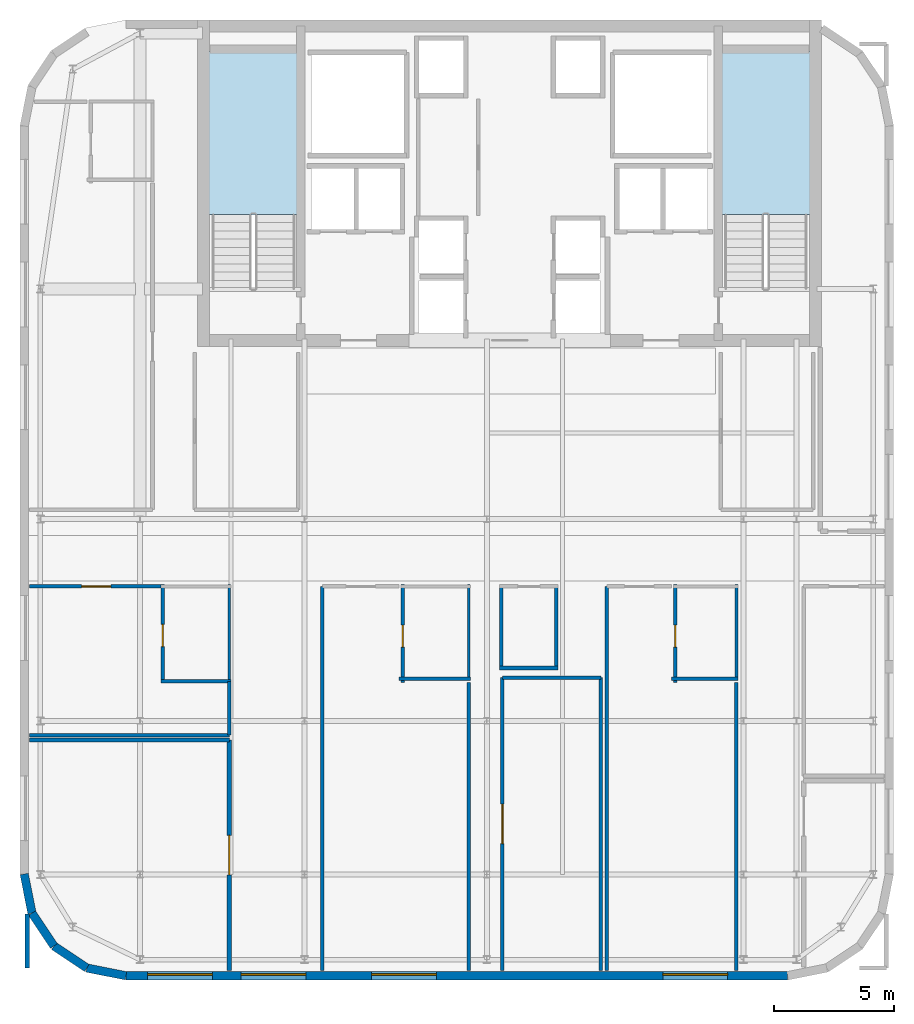
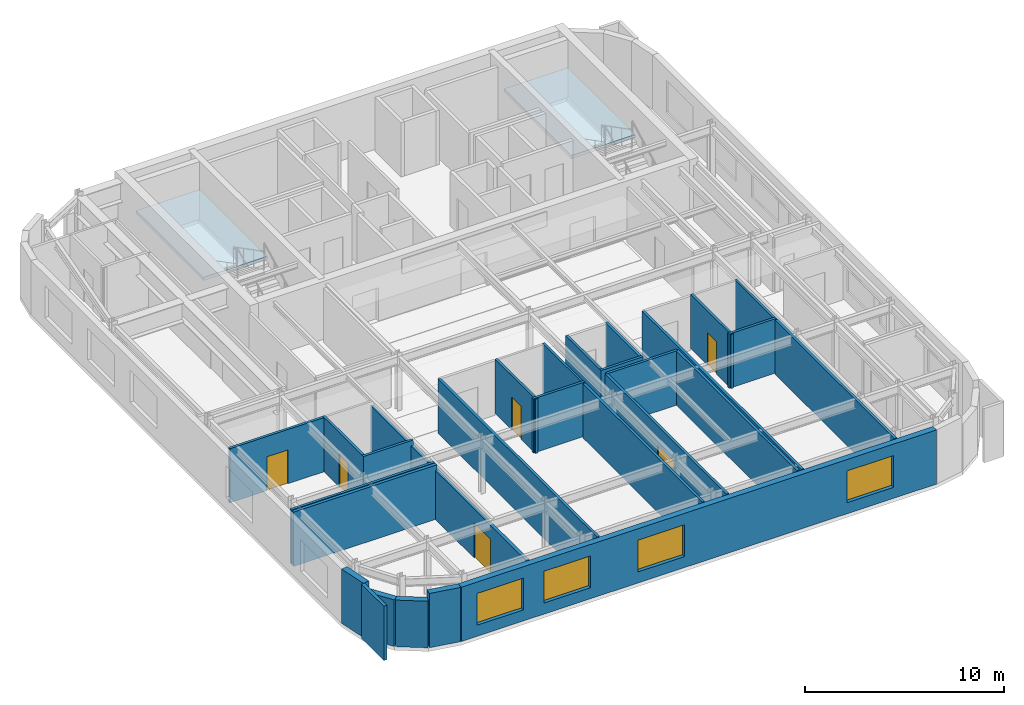
# One storey, part 6 of 12: 30 walls, 6 doors, 4 windows, 2 slabs, 10 openings, 2 elements without a shape of their own.
"""IFC4 building model written with IfcOpenShell, lengths in metres."""

from ifc_helpers import new_model, si_unit, direction, frame, frame_2d, origin, place, context, subcontext, project, spatial, polyline, rectangle, outline, extrude, source, transform, mapped, material, layer, layer_set, type_object, type_shapes, element, fill, aggregate, save


model = new_model("IFC4")

# Units and contexts
model_context = context("Model", 3, precision=1e-05, world=origin(), true_north=direction((0.0, 1.0)))
body_context = subcontext(model_context, "Body", "Model", "MODEL_VIEW")
ifc_project = project(units=[si_unit("LENGTHUNIT", "METRE"), si_unit("AREAUNIT", "SQUARE_METRE"), si_unit("VOLUMEUNIT", "CUBIC_METRE"), si_unit("PLANEANGLEUNIT", "RADIAN"), si_unit("MASSUNIT", "GRAM", prefix="KILO")], contexts=[model_context])

# Site, building, storey
site_placement = place(None, origin())
site = spatial("IfcSite", under=ifc_project, at=site_placement, CompositionType="ELEMENT")
building_placement = place(site_placement, origin())
building = spatial("IfcBuilding", under=site, at=building_placement, Name="Tolvann Quenvar Hotel", CompositionType="ELEMENT")
storey_placement = place(building_placement, frame((0.0, 0.0, 275.050048828125)))
storey = spatial("IfcBuildingStorey", under=building, at=storey_placement, Name="L73", CompositionType="ELEMENT", Elevation=275.050048828125)

# Stair, slab
ifc_material_1 = material(Name="Concrete N40 (40 MPa)", Category="concrete")
stair_type = type_object("IfcStairType", Name="STAIR", PredefinedType="HALF_TURN_STAIR", material=ifc_material_1)
stair_1_placement = place(storey_placement, origin())
stair_1 = element("IfcStair", 1, at=stair_1_placement, inside=storey, type_object=stair_type, Name="L73 ST-C1", PredefinedType="HALF_TURN_STAIR")
ifc_layer_1 = layer(ifc_material_1, 0.199951171875)
ifc_layer_set_1 = layer_set([ifc_layer_1], Name="Concrete N40 (40 MPa)")
slab_type = type_object("IfcSlabType", Name="SLAB_LANDING", PredefinedType="LANDING", material=ifc_layer_set_1)
slab_1_placement = place(storey_placement, frame((0.0, 0.0, 1.574951171875)))
slab_1 = element("IfcSlab", 2, at=slab_1_placement, type_object=slab_type, Name="ST-C1 landing 1", PredefinedType="LANDING", context=body_context, shape_type="SweptSolid", body=[
    extrude(outline(polyline([(14.179931640625, 37.10498046875), (14.179931640625, 43.8798828125), (10.469970703125, 43.8798828125), (10.469970703125, 37.10498046875), (14.179931640625, 37.10498046875)])), origin(), (0.0, 0.0, 1.0), 0.199951171875),
])
aggregate(stair_1, [slab_1])

stair_2_placement = place(storey_placement, origin())
stair_2 = element("IfcStair", 3, at=stair_2_placement, inside=storey, type_object=stair_type, Name="L73 ST-C2", PredefinedType="HALF_TURN_STAIR")
slab_2_placement = place(storey_placement, frame((0.0, 0.0, 1.574951171875)))
slab_2 = element("IfcSlab", 4, at=slab_2_placement, type_object=slab_type, Name="ST-C2 landing 1", PredefinedType="LANDING", context=body_context, shape_type="SweptSolid", body=[
    extrude(outline(polyline([(35.530029296875, 37.10498046875), (35.530029296875, 43.8798828125), (31.820068359375, 43.8798828125), (31.820068359375, 37.10498046875), (35.530029296875, 37.10498046875)])), origin(), (0.0, 0.0, 1.0), 0.199951171875),
])
aggregate(stair_2, [slab_2])

# Walls
ifc_material_2 = material(Name="Kiln-fired red and buff architectural clay brickwork and terracotta masonry", Category="masonry")
ifc_layer_2 = layer(ifc_material_2, 0.35009765625)
ifc_layer_set_2 = layer_set([ifc_layer_2], Name="Kiln-fired red and buff architectural clay brickwork and terracotta masonry")
wall_type_1 = type_object("IfcWallType", Name="WALL_EXT_BRICK_350", PredefinedType="SOLIDWALL", material=ifc_layer_set_2)
for number, where, z_axis, x_axis, name in (
    (5, (3.099609375, 7.984619140625, 0.0), (0.0, 0.0, 1.0), (0.555623290322, -0.831434158098, 0.0), "Exterior Chicago Brick Wall L73-E01"),
    (6, (4.014892578125, 6.614990234375, 0.0), (0.0, 0.0, 1.0), (0.831434158098, -0.555623290322, 0.0), "Exterior Chicago Brick Wall L73-E02"),
):
    element("IfcWall", number, at=place(storey_placement, frame(where, z_axis=z_axis, x_axis=x_axis)), inside=storey, type_object=wall_type_1, Name=name, PredefinedType="SOLIDWALL", context=body_context, shape_type="SweptSolid", body=[
        extrude(rectangle(XDim=1.647216796875, YDim=0.35009765625, at=frame_2d((0.82373046875, 0.0))), origin(), (0.0, 0.0, 1.0), 2.85986328125),
    ])
wall_1_placement = place(storey_placement, frame((5.384521484375, 5.69970703125, 0.0), z_axis=(0.0, 0.0, 1.0), x_axis=(0.980788844421, -0.195072403631, 0.0)))
element("IfcWall", 7, at=wall_1_placement, inside=storey, type_object=wall_type_1, Name="Exterior Chicago Brick Wall L73-E03", PredefinedType="SOLIDWALL", context=body_context, shape_type="SweptSolid", body=[
    extrude(rectangle(XDim=1.66455078125, YDim=0.35009765625, at=frame_2d((0.832275390625, 0.0))), origin(), (0.0, 0.0, 1.0), 3.329833984375),
])

# Wall, openings, windows
wall_2_placement = place(storey_placement, frame((7.01708984375, 5.375, 0.0), z_axis=(0.0, 0.0, 1.0), x_axis=(1.0, 0.0, 0.0)))
wall_2 = element("IfcWall", 8, at=wall_2_placement, inside=storey, type_object=wall_type_1, Name="Exterior Chicago Brick Wall L73-E04", PredefinedType="SOLIDWALL", context=body_context, shape_type="SweptSolid", body=[
    extrude(rectangle(XDim=27.565673828125, YDim=0.35009765625, at=frame_2d((13.78271484375, 0.0))), origin(), (0.0, 0.0, 1.0), 3.329833984375),
])
opening_1_placement = place(wall_2_placement, frame((0.89697265625, 0.0, 0.679931640625)))
opening_1 = element("IfcOpeningElement", 9, at=opening_1_placement, cuts=wall_2, Name="Opening W-04", PredefinedType="OPENING", context=body_context, shape_type="SweptSolid", body=[
    extrude(rectangle(XDim=2.699951171875, YDim=1.949951171875, at=frame_2d((1.35009765625, 0.97509765625))), frame((0.0, 0.18505859375, 0.0), z_axis=(0.0, -1.0, 0.0), x_axis=(1.0, 0.0, 0.0)), (0.0, 0.0, 1.0), 0.3701171875),
])
opening_2_placement = place(wall_2_placement, frame((4.791015625, 0.0, 0.679931640625)))
opening_2 = element("IfcOpeningElement", 10, at=opening_2_placement, cuts=wall_2, Name="Opening W-04", PredefinedType="OPENING", context=body_context, shape_type="SweptSolid", body=[
    extrude(rectangle(XDim=2.699951171875, YDim=1.949951171875, at=frame_2d((1.35009765625, 0.97509765625))), frame((0.0, 0.18505859375, 0.0), z_axis=(0.0, -1.0, 0.0), x_axis=(1.0, 0.0, 0.0)), (0.0, 0.0, 1.0), 0.3701171875),
])
opening_3_placement = place(wall_2_placement, frame((10.236083984375, 0.0, 0.679931640625)))
opening_3 = element("IfcOpeningElement", 11, at=opening_3_placement, cuts=wall_2, Name="Opening W-04", PredefinedType="OPENING", context=body_context, shape_type="SweptSolid", body=[
    extrude(rectangle(XDim=2.699951171875, YDim=1.949951171875, at=frame_2d((1.35009765625, 0.97509765625))), frame((0.0, 0.18505859375, 0.0), z_axis=(0.0, -1.0, 0.0), x_axis=(1.0, 0.0, 0.0)), (0.0, 0.0, 1.0), 0.3701171875),
])
opening_4_placement = place(wall_2_placement, frame((22.367919921875, 0.0, 0.679931640625)))
opening_4 = element("IfcOpeningElement", 12, at=opening_4_placement, cuts=wall_2, Name="Opening W-04", PredefinedType="OPENING", context=body_context, shape_type="SweptSolid", body=[
    extrude(rectangle(XDim=2.699951171875, YDim=1.949951171875, at=frame_2d((1.35009765625, 0.97509765625))), frame((0.0, 0.18505859375, 0.0), z_axis=(0.0, -1.0, 0.0), x_axis=(1.0, 0.0, 0.0)), (0.0, 0.0, 1.0), 0.3701171875),
])
ifc_material_3 = material(Name="Thermally broken bronze-anodised aluminium frame with double low-E glazing", Category="aluminium")
window_type = type_object("IfcWindowType", Name="WIN_STE_2700x2150", PartitioningType="TRIPLE_PANEL_HORIZONTAL", PredefinedType="WINDOW", material=ifc_material_3)
shared_shape_1 = source(origin(), body_context, "Body", "SweptSolid", [
    extrude(rectangle(XDim=2.699951171875, YDim=1.949951171875, at=frame_2d((1.35009765625, 0.97509765625))), frame((0.0, 0.090087890625, 0.0), z_axis=(0.0, -1.0, 0.0), x_axis=(1.0, 0.0, 0.0)), (0.0, 0.0, 1.0), 0.06005859375),
])
type_shapes(window_type, [shared_shape_1])
window_1_placement = place(opening_1_placement, origin())
window_1 = element("IfcWindow", 13, at=window_1_placement, inside=storey, type_object=window_type, Name="Chicago Window W-04 (EW-L73-E04-W01)", OverallHeight=1.949951171875, OverallWidth=2.699951171875, PartitioningType="TRIPLE_PANEL_HORIZONTAL", PredefinedType="WINDOW", context=body_context, shape_type="MappedRepresentation", body=[
    mapped(shared_shape_1, transform((0.0, 0.0, 0.0), x_axis=(1.0, 0.0, 0.0), y_axis=(0.0, 1.0, 0.0), z_axis=(0.0, 0.0, 1.0), scale=1.0)),
])
fill(opening_1, window_1)
window_2_placement = place(opening_2_placement, origin())
window_2 = element("IfcWindow", 14, at=window_2_placement, inside=storey, type_object=window_type, Name="Chicago Window W-04 (EW-L73-E04-W02)", OverallHeight=1.949951171875, OverallWidth=2.699951171875, PartitioningType="TRIPLE_PANEL_HORIZONTAL", PredefinedType="WINDOW", context=body_context, shape_type="MappedRepresentation", body=[
    mapped(shared_shape_1, transform((0.0, 0.0, 0.0), x_axis=(1.0, 0.0, 0.0), y_axis=(0.0, 1.0, 0.0), z_axis=(0.0, 0.0, 1.0), scale=1.0)),
])
fill(opening_2, window_2)
window_3_placement = place(opening_3_placement, origin())
window_3 = element("IfcWindow", 15, at=window_3_placement, inside=storey, type_object=window_type, Name="Chicago Window W-04 (EW-L73-E04-W03)", OverallHeight=1.949951171875, OverallWidth=2.699951171875, PartitioningType="TRIPLE_PANEL_HORIZONTAL", PredefinedType="WINDOW", context=body_context, shape_type="MappedRepresentation", body=[
    mapped(shared_shape_1, transform((0.0, 0.0, 0.0), x_axis=(1.0, 0.0, 0.0), y_axis=(0.0, 1.0, 0.0), z_axis=(0.0, 0.0, 1.0), scale=1.0)),
])
fill(opening_3, window_3)
window_4_placement = place(opening_4_placement, origin())
window_4 = element("IfcWindow", 16, at=window_4_placement, inside=storey, type_object=window_type, Name="Chicago Window W-04 (EW-L73-E04-W04)", OverallHeight=1.949951171875, OverallWidth=2.699951171875, PartitioningType="TRIPLE_PANEL_HORIZONTAL", PredefinedType="WINDOW", context=body_context, shape_type="MappedRepresentation", body=[
    mapped(shared_shape_1, transform((0.0, 0.0, 0.0), x_axis=(1.0, 0.0, 0.0), y_axis=(0.0, 1.0, 0.0), z_axis=(0.0, 0.0, 1.0), scale=1.0)),
])
fill(opening_4, window_4)

# Walls
wall_3_placement = place(storey_placement, frame((2.77490234375, 9.6171875, 0.0), z_axis=(0.0, 0.0, 1.0), x_axis=(0.195072403631, -0.980788844421, 0.0)))
element("IfcWall", 17, at=wall_3_placement, inside=storey, type_object=wall_type_1, Name="Exterior Chicago Brick Wall L73-E20", PredefinedType="SOLIDWALL", context=body_context, shape_type="SweptSolid", body=[
    extrude(rectangle(XDim=1.66455078125, YDim=0.35009765625, at=frame_2d((0.832275390625, 0.0))), origin(), (0.0, 0.0, 1.0), 3.329833984375),
])
ifc_material_4 = material(Name="Acoustic twin-stud fire-rated gypsum plasterboard partition")
ifc_layer_3 = layer(ifc_material_4, 0.179931640625)
ifc_layer_set_3 = layer_set([ifc_layer_3], Name="Acoustic twin-stud fire-rated gypsum plasterboard partition")
wall_type_2 = type_object("IfcWallType", Name="WALL_PART_ACOUSTIC_180", PredefinedType="PARTITIONING", material=ifc_layer_set_3)
wall_4_placement = place(storey_placement, frame((3.0048828125, 15.199951171875, 0.0), z_axis=(0.0, 0.0, 1.0), x_axis=(1.0, 0.0, 0.0)))
element("IfcWall", 18, at=wall_4_placement, inside=storey, type_object=wall_type_2, Name="Interior Partition PT-SPC-L73-PSW-LIV-N", PredefinedType="PARTITIONING", context=body_context, shape_type="SweptSolid", body=[
    extrude(rectangle(XDim=8.315185546875, YDim=0.179931640625, at=frame_2d((4.15771484375, 0.0))), origin(), (0.0, 0.0, 1.0), 3.329833984375),
])
wall_5_placement = place(storey_placement, frame((2.89990234375, 5.699951171875, 0.0), z_axis=(0.0, 0.0, 1.0), x_axis=(0.0, 1.0, 0.0)))
element("IfcWall", 19, at=wall_5_placement, inside=storey, type_object=wall_type_2, Name="Interior Partition PT-SPC-L73-PSW-LIV-W", PredefinedType="PARTITIONING", context=body_context, shape_type="SweptSolid", body=[
    extrude(rectangle(XDim=2.2451171875, YDim=0.179931640625, at=frame_2d((1.12255859375, 0.0))), origin(), (0.0, 0.0, 1.0), 3.329833984375),
])

# Wall, opening, door
wall_6_placement = place(storey_placement, frame((11.320068359375, 5.60498046875, 0.0), z_axis=(0.0, 0.0, 1.0), x_axis=(0.0, 1.0, 0.0)))
wall_6 = element("IfcWall", 20, at=wall_6_placement, inside=storey, type_object=wall_type_2, Name="Interior Partition PT-SPC-L73-PSW-LIV-E", PredefinedType="PARTITIONING", context=body_context, shape_type="SweptSolid", body=[
    extrude(rectangle(XDim=9.594970703125, YDim=0.179931640625, at=frame_2d((4.79736328125, 0.0))), origin(), (0.0, 0.0, 1.0), 3.012939453125),
])
opening_5_placement = place(wall_6_placement, frame((3.972412109375, 0.0, 0.0)))
opening_5 = element("IfcOpeningElement", 21, at=opening_5_placement, cuts=wall_6, Name="Opening AD-01", PredefinedType="OPENING", context=body_context, shape_type="SweptSolid", body=[
    extrude(rectangle(XDim=1.64990234375, YDim=2.14990234375, at=frame_2d((0.824951171875, 1.074951171875))), frame((0.0, 0.10009765625, 0.0), z_axis=(0.0, -1.0, 0.0), x_axis=(1.0, 0.0, 0.0)), (0.0, 0.0, 1.0), 0.199951171875),
])
ifc_material_5 = material(Name="Solid-core American oak acoustic fire door leaf in steel frame", Category="steel")
door_type_1 = type_object("IfcDoorType", Name="DOOR_SALON_1650", OperationType="NOTDEFINED", PredefinedType="DOOR", material=ifc_material_5)
shared_shape_2 = source(origin(), body_context, "Body", "SweptSolid", [
    extrude(rectangle(XDim=1.64990234375, YDim=2.14990234375, at=frame_2d((0.824951171875, 1.074951171875))), frame((0.0, 0.02490234375, 0.0), z_axis=(0.0, -1.0, 0.0), x_axis=(1.0, 0.0, 0.0)), (0.0, 0.0, 1.0), 0.050048828125),
])
type_shapes(door_type_1, [shared_shape_2])
door_1_placement = place(opening_5_placement, origin())
door_1 = element("IfcDoor", 22, at=door_1_placement, inside=storey, type_object=door_type_1, Name="Interior Door DOOR-SPC-L73-PSW-LIV", OperationType="DOUBLE_DOOR_SINGLE_SWING", OverallHeight=2.14990234375, OverallWidth=1.64990234375, PredefinedType="DOOR", context=body_context, shape_type="MappedRepresentation", body=[
    mapped(shared_shape_2, transform((0.0, 0.0, 0.0), x_axis=(1.0, 0.0, 0.0), y_axis=(0.0, 1.0, 0.0), z_axis=(0.0, 0.0, 1.0), scale=1.0)),
])
fill(opening_5, door_1)

# Walls
ifc_material_6 = material(Name="Moisture-resistant acoustic plumbing wall assembly")
ifc_layer_4 = layer(ifc_material_6, 0.1201171875)
ifc_layer_set_4 = layer_set([ifc_layer_4], Name="Moisture-resistant acoustic plumbing wall assembly")
wall_type_3 = type_object("IfcWallType", Name="WALL_PART_BATH_120", PredefinedType="PLUMBINGWALL", material=ifc_layer_set_4)
wall_7_placement = place(storey_placement, frame((11.320068359375, 17.580078125, 0.0), z_axis=(0.0, 0.0, 1.0), x_axis=(0.0, 1.0, 0.0)))
element("IfcWall", 23, at=wall_7_placement, inside=storey, type_object=wall_type_3, Name="Non-Rated Plumbing Partition PT-SPC-L73-PSW-ENS-E", PredefinedType="PLUMBINGWALL", context=body_context, shape_type="SweptSolid", body=[
    extrude(rectangle(XDim=4.08984375, YDim=0.1201171875, at=frame_2d((2.044921875, 0.0))), origin(), (0.0, 0.0, 1.0), 3.012939453125),
])
for number, where, z_axis, x_axis, name in (
    (24, (21.300048828125, 17.679931640625, 0.0), (0.0, 0.0, 1.0), (0.0, 1.0, 0.0), "Non-Rated Plumbing Partition PT-SPC-L73-PRC-ENS-E"),
    (25, (32.449951171875, 17.679931640625, 0.0), (0.0, 0.0, 1.0), (0.0, 1.0, 0.0), "Non-Rated Plumbing Partition PT-SPC-L73-PSE-ENS-E"),
):
    element("IfcWall", number, at=place(storey_placement, frame(where, z_axis=z_axis, x_axis=x_axis)), inside=storey, type_object=wall_type_3, Name=name, PredefinedType="PLUMBINGWALL", context=body_context, shape_type="SweptSolid", body=[
        extrude(rectangle(XDim=3.989990234375, YDim=0.1201171875, at=frame_2d((1.9951171875, 0.0))), origin(), (0.0, 0.0, 1.0), 3.329833984375),
    ])

# Wall, opening, door
ifc_layer_5 = layer(ifc_material_4, 0.14990234375)
ifc_layer_set_5 = layer_set([ifc_layer_5], Name="Acoustic twin-stud fire-rated gypsum plasterboard partition")
wall_type_4 = type_object("IfcWallType", Name="WALL_PART_SUITE_150", PredefinedType="PARTITIONING", material=ifc_layer_set_5)
wall_8_placement = place(storey_placement, frame((8.550048828125, 17.580078125, 0.0), z_axis=(0.0, 0.0, 1.0), x_axis=(0.0, 1.0, 0.0)))
wall_8 = element("IfcWall", 26, at=wall_8_placement, inside=storey, type_object=wall_type_4, Name="Interior Partition PT-SPC-L73-PSW-ENS-ENT", PredefinedType="PARTITIONING", context=body_context, shape_type="SweptSolid", body=[
    extrude(rectangle(XDim=4.08984375, YDim=0.14990234375, at=frame_2d((2.044921875, 0.0))), origin(), (0.0, 0.0, 1.0), 3.329833984375),
])
opening_6_placement = place(wall_8_placement, frame((1.514892578125, 0.0, 0.0)))
opening_6 = element("IfcOpeningElement", 27, at=opening_6_placement, cuts=wall_8, Name="Opening WD-01", PredefinedType="OPENING", context=body_context, shape_type="SweptSolid", body=[
    extrude(rectangle(XDim=0.919921875, YDim=2.010009765625, at=frame_2d((0.4599609375, 1.0048828125))), frame((0.0, 0.0849609375, 0.0), z_axis=(0.0, -1.0, 0.0), x_axis=(1.0, 0.0, 0.0)), (0.0, 0.0, 1.0), 0.169921875),
])
door_type_2 = type_object("IfcDoorType", Name="DOOR_WC_920", OperationType="NOTDEFINED", PredefinedType="DOOR", material=ifc_material_5)
shared_shape_3 = source(origin(), body_context, "Body", "SweptSolid", [
    extrude(rectangle(XDim=0.919921875, YDim=2.010009765625, at=frame_2d((0.4599609375, 1.0048828125))), frame((0.0, 0.02490234375, 0.0), z_axis=(0.0, -1.0, 0.0), x_axis=(1.0, 0.0, 0.0)), (0.0, 0.0, 1.0), 0.050048828125),
])
type_shapes(door_type_2, [shared_shape_3])
door_2_placement = place(opening_6_placement, origin())
door_2 = element("IfcDoor", 28, at=door_2_placement, inside=storey, type_object=door_type_2, Name="Interior Door DOOR-SPC-L73-PSW-ENS", OperationType="SINGLE_SWING_LEFT", OverallHeight=2.010009765625, OverallWidth=0.919921875, PredefinedType="DOOR", context=body_context, shape_type="MappedRepresentation", body=[
    mapped(shared_shape_3, transform((0.0, 0.0, 0.0), x_axis=(1.0, 0.0, 0.0), y_axis=(0.0, 1.0, 0.0), z_axis=(0.0, 0.0, 1.0), scale=1.0)),
])
fill(opening_6, door_2)

# Wall
wall_9_placement = place(storey_placement, frame((8.47998046875, 17.64990234375, 0.0), z_axis=(0.0, 0.0, 1.0), x_axis=(1.0, 0.0, 0.0)))
element("IfcWall", 29, at=wall_9_placement, inside=storey, type_object=wall_type_4, Name="Interior Partition PT-SPC-L73-PSW-ENS-S", PredefinedType="PARTITIONING", context=body_context, shape_type="SweptSolid", body=[
    extrude(rectangle(XDim=2.909912109375, YDim=0.14990234375, at=frame_2d((1.455078125, 0.0))), origin(), (0.0, 0.0, 1.0), 3.329833984375),
])

# Wall, opening, door
wall_10_placement = place(storey_placement, frame((18.550048828125, 17.60009765625, 0.0), z_axis=(0.0, 0.0, 1.0), x_axis=(0.0, 1.0, 0.0)))
wall_10 = element("IfcWall", 30, at=wall_10_placement, inside=storey, type_object=wall_type_4, Name="Interior Partition PT-SPC-L73-PRC-ENS-ENT", PredefinedType="PARTITIONING", context=body_context, shape_type="SweptSolid", body=[
    extrude(rectangle(XDim=4.06982421875, YDim=0.14990234375, at=frame_2d((2.034912109375, 0.0))), origin(), (0.0, 0.0, 1.0), 3.329833984375),
])
opening_7_placement = place(wall_10_placement, frame((1.465087890625, 0.0, 0.0)))
opening_7 = element("IfcOpeningElement", 31, at=opening_7_placement, cuts=wall_10, Name="Opening WD-01", PredefinedType="OPENING", context=body_context, shape_type="SweptSolid", body=[
    extrude(rectangle(XDim=0.919921875, YDim=2.010009765625, at=frame_2d((0.4599609375, 1.0048828125))), frame((0.0, 0.0849609375, 0.0), z_axis=(0.0, -1.0, 0.0), x_axis=(1.0, 0.0, 0.0)), (0.0, 0.0, 1.0), 0.169921875),
])
door_3_placement = place(opening_7_placement, origin())
door_3 = element("IfcDoor", 32, at=door_3_placement, inside=storey, type_object=door_type_2, Name="Interior Door DOOR-SPC-L73-PRC-ENS", OperationType="SINGLE_SWING_RIGHT", OverallHeight=2.010009765625, OverallWidth=0.919921875, PredefinedType="DOOR", context=body_context, shape_type="MappedRepresentation", body=[
    mapped(shared_shape_3, transform((0.0, 0.0, 0.0), x_axis=(1.0, 0.0, 0.0), y_axis=(0.0, 1.0, 0.0), z_axis=(0.0, 0.0, 1.0), scale=1.0)),
])
fill(opening_7, door_3)

# Wall
wall_11_placement = place(storey_placement, frame((18.39990234375, 17.75, 0.0), z_axis=(0.0, 0.0, 1.0), x_axis=(1.0, 0.0, 0.0)))
element("IfcWall", 33, at=wall_11_placement, inside=storey, type_object=wall_type_4, Name="Interior Partition PT-SPC-L73-PRC-ENS-S", PredefinedType="PARTITIONING", context=body_context, shape_type="SweptSolid", body=[
    extrude(rectangle(XDim=2.97021484375, YDim=0.14990234375, at=frame_2d((1.485107421875, 0.0))), origin(), (0.0, 0.0, 1.0), 3.329833984375),
])

# Wall, opening, door
wall_12_placement = place(storey_placement, frame((29.89990234375, 17.60009765625, 0.0), z_axis=(0.0, 0.0, 1.0), x_axis=(0.0, 1.0, 0.0)))
wall_12 = element("IfcWall", 34, at=wall_12_placement, inside=storey, type_object=wall_type_4, Name="Interior Partition PT-SPC-L73-PSE-ENS-ENT", PredefinedType="PARTITIONING", context=body_context, shape_type="SweptSolid", body=[
    extrude(rectangle(XDim=4.06982421875, YDim=0.14990234375, at=frame_2d((2.034912109375, 0.0))), origin(), (0.0, 0.0, 1.0), 3.329833984375),
])
opening_8_placement = place(wall_12_placement, frame((1.465087890625, 0.0, 0.0)))
opening_8 = element("IfcOpeningElement", 35, at=opening_8_placement, cuts=wall_12, Name="Opening WD-01", PredefinedType="OPENING", context=body_context, shape_type="SweptSolid", body=[
    extrude(rectangle(XDim=0.919921875, YDim=2.010009765625, at=frame_2d((0.4599609375, 1.0048828125))), frame((0.0, 0.0849609375, 0.0), z_axis=(0.0, -1.0, 0.0), x_axis=(1.0, 0.0, 0.0)), (0.0, 0.0, 1.0), 0.169921875),
])
door_4_placement = place(opening_8_placement, origin())
door_4 = element("IfcDoor", 36, at=door_4_placement, inside=storey, type_object=door_type_2, Name="Interior Door DOOR-SPC-L73-PSE-ENS", OperationType="SINGLE_SWING_LEFT", OverallHeight=2.010009765625, OverallWidth=0.919921875, PredefinedType="DOOR", context=body_context, shape_type="MappedRepresentation", body=[
    mapped(shared_shape_3, transform((0.0, 0.0, 0.0), x_axis=(1.0, 0.0, 0.0), y_axis=(0.0, 1.0, 0.0), z_axis=(0.0, 0.0, 1.0), scale=1.0)),
])
fill(opening_8, door_4)

# Wall
wall_13_placement = place(storey_placement, frame((29.75, 17.75, 0.0), z_axis=(0.0, 0.0, 1.0), x_axis=(1.0, 0.0, 0.0)))
element("IfcWall", 37, at=wall_13_placement, inside=storey, type_object=wall_type_4, Name="Interior Partition PT-SPC-L73-PSE-ENS-S", PredefinedType="PARTITIONING", context=body_context, shape_type="SweptSolid", body=[
    extrude(rectangle(XDim=2.77001953125, YDim=0.14990234375, at=frame_2d((1.385009765625, 0.0))), origin(), (0.0, 0.0, 1.0), 3.329833984375),
])

# Wall, opening, door
wall_14_placement = place(storey_placement, frame((3.0048828125, 21.60009765625, 0.0), z_axis=(0.0, 0.0, 1.0), x_axis=(1.0, 0.0, 0.0)))
wall_14 = element("IfcWall", 38, at=wall_14_placement, inside=storey, type_object=wall_type_4, Name="Interior Partition PT-SPC-L73-PSW-BED-ENT", PredefinedType="PARTITIONING", context=body_context, shape_type="SweptSolid", body=[
    extrude(rectangle(XDim=5.545166015625, YDim=0.14990234375, at=frame_2d((2.7724609375, 0.0))), origin(), (0.0, 0.0, 1.0), 3.329833984375),
])
opening_9_placement = place(wall_14_placement, frame((2.16259765625, 0.0, 0.0)))
opening_9 = element("IfcOpeningElement", 39, at=opening_9_placement, cuts=wall_14, Name="Opening SD-02", PredefinedType="OPENING", context=body_context, shape_type="SweptSolid", body=[
    extrude(rectangle(XDim=1.219970703125, YDim=2.080078125, at=frame_2d((0.60986328125, 1.0400390625))), frame((0.0, 0.0849609375, 0.0), z_axis=(0.0, -1.0, 0.0), x_axis=(1.0, 0.0, 0.0)), (0.0, 0.0, 1.0), 0.169921875),
])
door_type_3 = type_object("IfcDoorType", Name="DOOR_VIP_1220", OperationType="NOTDEFINED", PredefinedType="DOOR", material=ifc_material_5)
shared_shape_4 = source(origin(), body_context, "Body", "SweptSolid", [
    extrude(rectangle(XDim=1.219970703125, YDim=2.080078125, at=frame_2d((0.60986328125, 1.0400390625))), frame((0.0, 0.02490234375, 0.0), z_axis=(0.0, -1.0, 0.0), x_axis=(1.0, 0.0, 0.0)), (0.0, 0.0, 1.0), 0.050048828125),
])
type_shapes(door_type_3, [shared_shape_4])
door_5_placement = place(opening_9_placement, origin())
door_5 = element("IfcDoor", 40, at=door_5_placement, inside=storey, type_object=door_type_3, Name="Interior Door DOOR-SPC-L73-PSW-BED", OperationType="SINGLE_SWING_RIGHT", OverallHeight=2.080078125, OverallWidth=1.219970703125, PredefinedType="DOOR", context=body_context, shape_type="MappedRepresentation", body=[
    mapped(shared_shape_4, transform((0.0, 0.0, 0.0), x_axis=(1.0, 0.0, 0.0), y_axis=(0.0, 1.0, 0.0), z_axis=(0.0, 0.0, 1.0), scale=1.0)),
])
fill(opening_9, door_5)

# Walls
wall_15_placement = place(storey_placement, frame((3.0048828125, 15.39990234375, 0.0), z_axis=(0.0, 0.0, 1.0), x_axis=(1.0, 0.0, 0.0)))
element("IfcWall", 41, at=wall_15_placement, inside=storey, type_object=wall_type_4, Name="Interior Partition PT-SPC-L73-PSW-BED-E1", PredefinedType="PARTITIONING", context=body_context, shape_type="SweptSolid", body=[
    extrude(rectangle(XDim=8.315185546875, YDim=0.14990234375, at=frame_2d((4.15771484375, 0.0))), origin(), (0.0, 0.0, 1.0), 3.329833984375),
])
wall_16_placement = place(storey_placement, frame((11.320068359375, 15.39990234375, 0.0), z_axis=(0.0, 0.0, 1.0), x_axis=(0.0, 1.0, 0.0)))
element("IfcWall", 42, at=wall_16_placement, inside=storey, type_object=wall_type_4, Name="Interior Partition PT-SPC-L73-PSW-BED-E2", PredefinedType="PARTITIONING", context=body_context, shape_type="SweptSolid", body=[
    extrude(rectangle(XDim=2.22998046875, YDim=0.14990234375, at=frame_2d((1.114990234375, 0.0))), origin(), (0.0, 0.0, 1.0), 3.012939453125),
])
wall_17_placement = place(storey_placement, frame((21.300048828125, 5.60498046875, 0.0), z_axis=(0.0, 0.0, 1.0), x_axis=(0.0, 1.0, 0.0)))
element("IfcWall", 43, at=wall_17_placement, inside=storey, type_object=wall_type_4, Name="Interior Partition PT-SPC-L73-PRC-LIV-E2", PredefinedType="PARTITIONING", context=body_context, shape_type="SweptSolid", body=[
    extrude(rectangle(XDim=11.9951171875, YDim=0.14990234375, at=frame_2d((5.99755859375, 0.0))), origin(), (0.0, 0.0, 1.0), 3.329833984375),
])
wall_18_placement = place(storey_placement, frame((15.199951171875, 5.60498046875, 0.0), z_axis=(0.0, 0.0, 1.0), x_axis=(0.0, 1.0, 0.0)))
element("IfcWall", 44, at=wall_18_placement, inside=storey, type_object=wall_type_4, Name="Interior Partition PT-SPC-L73-PRC-LIV-E6", PredefinedType="PARTITIONING", context=body_context, shape_type="SweptSolid", body=[
    extrude(rectangle(XDim=15.9951171875, YDim=0.14990234375, at=frame_2d((7.99755859375, 0.0))), origin(), (0.0, 0.0, 1.0), 3.329833984375),
])
wall_19_placement = place(storey_placement, frame((22.699951171875, 17.800048828125, 0.0), z_axis=(0.0, 0.0, 1.0), x_axis=(1.0, 0.0, 0.0)))
element("IfcWall", 45, at=wall_19_placement, inside=storey, type_object=wall_type_4, Name="Interior Partition PT-SPC-L73-PRC-DIN-N", PredefinedType="PARTITIONING", context=body_context, shape_type="SweptSolid", body=[
    extrude(rectangle(XDim=4.10009765625, YDim=0.14990234375, at=frame_2d((2.050048828125, 0.0))), origin(), (0.0, 0.0, 1.0), 3.329833984375),
])

# Wall, opening, door
wall_20_placement = place(storey_placement, frame((22.699951171875, 5.60498046875, 0.0), z_axis=(0.0, 0.0, 1.0), x_axis=(0.0, 1.0, 0.0)))
wall_20 = element("IfcWall", 46, at=wall_20_placement, inside=storey, type_object=wall_type_4, Name="Interior Partition PT-SPC-L73-PRC-DIN-W", PredefinedType="PARTITIONING", context=body_context, shape_type="SweptSolid", body=[
    extrude(rectangle(XDim=12.195068359375, YDim=0.14990234375, at=frame_2d((6.09765625, 0.0))), origin(), (0.0, 0.0, 1.0), 3.329833984375),
])
opening_10_placement = place(wall_20_placement, frame((5.2724609375, 0.0, 0.0)))
opening_10 = element("IfcOpeningElement", 47, at=opening_10_placement, cuts=wall_20, Name="Opening AD-01", PredefinedType="OPENING", context=body_context, shape_type="SweptSolid", body=[
    extrude(rectangle(XDim=1.64990234375, YDim=2.14990234375, at=frame_2d((0.824951171875, 1.074951171875))), frame((0.0, 0.0849609375, 0.0), z_axis=(0.0, -1.0, 0.0), x_axis=(1.0, 0.0, 0.0)), (0.0, 0.0, 1.0), 0.169921875),
])
door_6_placement = place(opening_10_placement, origin())
door_6 = element("IfcDoor", 48, at=door_6_placement, inside=storey, type_object=door_type_1, Name="Interior Door DOOR-SPC-L73-PRC-DIN", OperationType="DOUBLE_DOOR_SINGLE_SWING", OverallHeight=2.14990234375, OverallWidth=1.64990234375, PredefinedType="DOOR", context=body_context, shape_type="MappedRepresentation", body=[
    mapped(shared_shape_2, transform((0.0, 0.0, 0.0), x_axis=(1.0, 0.0, 0.0), y_axis=(0.0, 1.0, 0.0), z_axis=(0.0, 0.0, 1.0), scale=1.0)),
])
fill(opening_10, door_6)

# Walls
wall_21_placement = place(storey_placement, frame((26.800048828125, 5.60498046875, 0.0), z_axis=(0.0, 0.0, 1.0), x_axis=(0.0, 1.0, 0.0)))
element("IfcWall", 49, at=wall_21_placement, inside=storey, type_object=wall_type_4, Name="Interior Partition PT-SPC-L73-PRC-DIN-E", PredefinedType="PARTITIONING", context=body_context, shape_type="SweptSolid", body=[
    extrude(rectangle(XDim=12.195068359375, YDim=0.14990234375, at=frame_2d((6.09765625, 0.0))), origin(), (0.0, 0.0, 1.0), 3.329833984375),
])
wall_22_placement = place(storey_placement, frame((32.449951171875, 5.60498046875, 0.0), z_axis=(0.0, 0.0, 1.0), x_axis=(0.0, 1.0, 0.0)))
element("IfcWall", 50, at=wall_22_placement, inside=storey, type_object=wall_type_4, Name="Interior Partition PT-SPC-L73-PSE-LIV-E2", PredefinedType="PARTITIONING", context=body_context, shape_type="SweptSolid", body=[
    extrude(rectangle(XDim=11.9951171875, YDim=0.14990234375, at=frame_2d((5.99755859375, 0.0))), origin(), (0.0, 0.0, 1.0), 3.329833984375),
])
wall_23_placement = place(storey_placement, frame((27.050048828125, 5.60498046875, 0.0), z_axis=(0.0, 0.0, 1.0), x_axis=(0.0, 1.0, 0.0)))
element("IfcWall", 51, at=wall_23_placement, inside=storey, type_object=wall_type_4, Name="Interior Partition PT-SPC-L73-PSE-LIV-E6", PredefinedType="PARTITIONING", context=body_context, shape_type="SweptSolid", body=[
    extrude(rectangle(XDim=15.9951171875, YDim=0.14990234375, at=frame_2d((7.99755859375, 0.0))), origin(), (0.0, 0.0, 1.0), 3.329833984375),
])
wall_24_placement = place(storey_placement, frame((22.580078125, 18.199951171875, 0.0), z_axis=(0.0, 0.0, 1.0), x_axis=(1.0, 0.0, 0.0)))
element("IfcWall", 52, at=wall_24_placement, inside=storey, type_object=wall_type_4, Name="Interior Partition PT-SPC-L73-WCA-S", PredefinedType="PARTITIONING", context=body_context, shape_type="SweptSolid", body=[
    extrude(rectangle(XDim=2.43994140625, YDim=0.14990234375, at=frame_2d((1.219970703125, 0.0))), origin(), (0.0, 0.0, 1.0), 3.329833984375),
])
for number, where, z_axis, x_axis, name in (
    (53, (22.64990234375, 18.1298828125, 0.0), (0.0, 0.0, 1.0), (0.0, 1.0, 0.0), "Interior Partition PT-SPC-L73-WCA-W"),
    (54, (24.949951171875, 18.1298828125, 0.0), (0.0, 0.0, 1.0), (0.0, 1.0, 0.0), "Interior Partition PT-SPC-L73-WCA-E"),
):
    element("IfcWall", number, at=place(storey_placement, frame(where, z_axis=z_axis, x_axis=x_axis)), inside=storey, type_object=wall_type_4, Name=name, PredefinedType="PARTITIONING", context=body_context, shape_type="SweptSolid", body=[
        extrude(rectangle(XDim=3.5400390625, YDim=0.14990234375, at=frame_2d((1.77001953125, 0.0))), origin(), (0.0, 0.0, 1.0), 3.329833984375),
    ])

save(model, "model.ifc")
